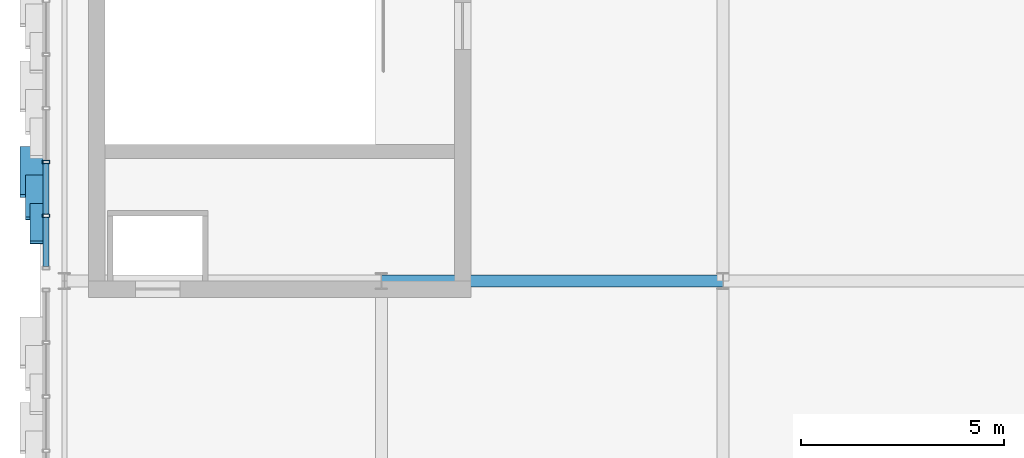
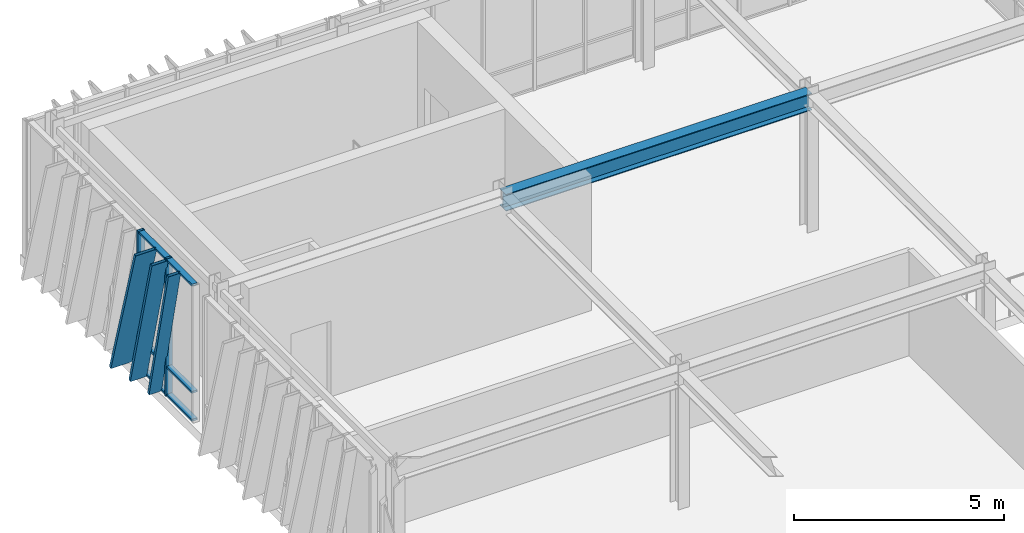
# One storey, part 41 of 123: 11 members, 1 beam, 1 element without a shape of its own.
"""IFC4 building model written with IfcOpenShell, lengths in metres."""

from ifc_helpers import new_model, si_unit, direction, frame, origin, origin_2d, place, context, subcontext, project, spatial, hollow_rectangle, i_section, extrude, material, layer, layer_set, material_profile, profile_set, type_object, element, aggregate, save


model = new_model("IFC4")

# Units and contexts
model_context = context("Model", 3, precision=1e-05, world=origin(), true_north=direction((0.0, 1.0)))
body_context = subcontext(model_context, "Body", "Model", "MODEL_VIEW")
ifc_project = project(units=[si_unit("LENGTHUNIT", "METRE"), si_unit("AREAUNIT", "SQUARE_METRE"), si_unit("VOLUMEUNIT", "CUBIC_METRE"), si_unit("PLANEANGLEUNIT", "RADIAN"), si_unit("MASSUNIT", "GRAM", prefix="KILO")], contexts=[model_context])

# Site, building, storey
site_placement = place(None, origin())
site = spatial("IfcSite", under=ifc_project, at=site_placement, CompositionType="ELEMENT")
building_placement = place(site_placement, origin())
building = spatial("IfcBuilding", under=site, at=building_placement, Name="Zayran Congress Hotel", CompositionType="ELEMENT")
storey_placement = place(building_placement, frame((0.0, 0.0, 15.0)))
storey = spatial("IfcBuildingStorey", under=building, at=storey_placement, Name="L03", CompositionType="ELEMENT", Elevation=15.0)

# Beam
ifc_material_1 = material(Name="Steel S355", Category="steel")
ifc_material_profile_1 = material_profile(ifc_material_1, i_section(OverallWidth=0.300048828125, OverallDepth=0.489990234375, WebThickness=0.011962890625, FlangeThickness=0.02294921875, at=origin_2d()), Name="HEA 500")
ifc_profile_set_1 = profile_set([ifc_material_profile_1], Name="Steel S355")
beam_type = type_object("IfcBeamType", Name="TP-BM-05", PredefinedType="BEAM", material=ifc_profile_set_1)
beam_placement = place(storey_placement, frame((16.800048828125, 109.60009765625, 3.735107421875), z_axis=(1.0, 0.0, 0.0), x_axis=(0.0, 1.0, 0.0)))
element("IfcBeam", 1, at=beam_placement, inside=storey, type_object=beam_type, Name="BM-V1-L03-0830", PredefinedType="BEAM", context=body_context, shape_type="SweptSolid", body=[
    extrude(i_section(OverallWidth=0.300048828125, OverallDepth=0.489990234375, WebThickness=0.011962890625, FlangeThickness=0.02294921875, at=origin_2d()), origin(), (0.0, 0.0, 1.0), 8.39990234375),
])

# Curtain wall, members
ifc_material_2 = material(Name="Anodised aluminium and low-E insulated glass", Category="aluminium")
ifc_layer = layer(ifc_material_2, 0.179931640625)
ifc_layer_set = layer_set([ifc_layer], Name="Anodised aluminium and low-E insulated glass")
curtain_wall_type = type_object("IfcCurtainWallType", Name="CW-V1W-L03-CW-32-7940-3980", PredefinedType="USERDEFINED", material=ifc_layer_set)
curtain_wall_placement = place(storey_placement, origin())
curtain_wall = element("IfcCurtainWall", 2, at=curtain_wall_placement, inside=storey, type_object=curtain_wall_type, Name="CW-V1W-L03-5", ObjectType="CURTAIN WALL", PredefinedType="USERDEFINED")
ifc_material_3 = material(Name="Anodised aluminium framing", Category="aluminium")
ifc_material_profile_2 = material_profile(ifc_material_3, hollow_rectangle(XDim=0.080078125, YDim=0.179931640625, WallThickness=0.0048828125, at=origin_2d()), Name="RHS 180x80x5")
ifc_profile_set_2 = profile_set([ifc_material_profile_2], Name="Anodised aluminium framing")
member_type_1 = type_object("IfcMemberType", Name="TP-CWM-01", PredefinedType="MULLION", material=ifc_profile_set_2)
member_1_placement = place(storey_placement, frame((8.550048828125, 112.526611328125, 0.0), z_axis=(0.0, 0.0, 1.0), x_axis=(0.0, 1.0, 0.0)))
member_1 = element("IfcMember", 3, at=member_1_placement, type_object=member_type_1, Name="CW-V1W-L03-5-M04", PredefinedType="MULLION", context=body_context, shape_type="SweptSolid", body=[
    extrude(hollow_rectangle(XDim=0.080078125, YDim=0.179931640625, WallThickness=0.0048828125, at=origin_2d()), origin(), (0.0, 0.0, 1.0), 3.97998046875),
])
member_2_placement = place(storey_placement, frame((8.550048828125, 111.203369140625, 0.0), z_axis=(0.0, 0.0, 1.0), x_axis=(0.0, 1.0, 0.0)))
member_2 = element("IfcMember", 4, at=member_2_placement, type_object=member_type_1, Name="CW-V1W-L03-5-M05", PredefinedType="MULLION", context=body_context, shape_type="SweptSolid", body=[
    extrude(hollow_rectangle(XDim=0.080078125, YDim=0.179931640625, WallThickness=0.0048828125, at=origin_2d()), origin(), (0.0, 0.0, 1.0), 3.97998046875),
])
ifc_material_profile_3 = material_profile(ifc_material_3, hollow_rectangle(XDim=0.06005859375, YDim=0.14990234375, WallThickness=0.00390625, at=origin_2d()), Name="RHS 150x60x4")
ifc_profile_set_3 = profile_set([ifc_material_profile_3], Name="Anodised aluminium framing")
member_type_2 = type_object("IfcMemberType", Name="TP-CWT-01", PredefinedType="USERDEFINED", material=ifc_profile_set_3)
member_3_placement = place(storey_placement, frame((8.550048828125, 112.48681640625, 0.030029296875), z_axis=(0.0, -1.0, 0.0), x_axis=(0.0, 0.0, 1.0)))
member_3 = element("IfcMember", 5, at=member_3_placement, type_object=member_type_2, Name="CW-V1W-L03-5-T04-0", ObjectType="TRANSOM", PredefinedType="USERDEFINED", context=body_context, shape_type="SweptSolid", body=[
    extrude(hollow_rectangle(XDim=0.06005859375, YDim=0.14990234375, WallThickness=0.00390625, at=origin_2d()), origin(), (0.0, 0.0, 1.0), 1.243408203125),
])
member_4_placement = place(storey_placement, frame((8.550048828125, 112.48681640625, 0.840087890625), z_axis=(0.0, -1.0, 0.0), x_axis=(0.0, 0.0, 1.0)))
member_4 = element("IfcMember", 6, at=member_4_placement, type_object=member_type_2, Name="CW-V1W-L03-5-T04-1", ObjectType="TRANSOM", PredefinedType="USERDEFINED", context=body_context, shape_type="SweptSolid", body=[
    extrude(hollow_rectangle(XDim=0.06005859375, YDim=0.14990234375, WallThickness=0.00390625, at=origin_2d()), origin(), (0.0, 0.0, 1.0), 1.243408203125),
])
member_5_placement = place(storey_placement, frame((8.550048828125, 112.48681640625, 3.949951171875), z_axis=(0.0, -1.0, 0.0), x_axis=(0.0, 0.0, 1.0)))
member_5 = element("IfcMember", 7, at=member_5_placement, type_object=member_type_2, Name="CW-V1W-L03-5-T04-2", ObjectType="TRANSOM", PredefinedType="USERDEFINED", context=body_context, shape_type="SweptSolid", body=[
    extrude(hollow_rectangle(XDim=0.06005859375, YDim=0.14990234375, WallThickness=0.00390625, at=origin_2d()), origin(), (0.0, 0.0, 1.0), 1.243408203125),
])
member_6_placement = place(storey_placement, frame((8.550048828125, 111.163330078125, 0.030029296875), z_axis=(0.0, -1.0, 0.0), x_axis=(0.0, 0.0, 1.0)))
member_6 = element("IfcMember", 8, at=member_6_placement, type_object=member_type_2, Name="CW-V1W-L03-5-T05-0", ObjectType="TRANSOM", PredefinedType="USERDEFINED", context=body_context, shape_type="SweptSolid", body=[
    extrude(hollow_rectangle(XDim=0.06005859375, YDim=0.14990234375, WallThickness=0.00390625, at=origin_2d()), origin(), (0.0, 0.0, 1.0), 1.203369140625),
])
member_7_placement = place(storey_placement, frame((8.550048828125, 111.163330078125, 0.840087890625), z_axis=(0.0, -1.0, 0.0), x_axis=(0.0, 0.0, 1.0)))
member_7 = element("IfcMember", 9, at=member_7_placement, type_object=member_type_2, Name="CW-V1W-L03-5-T05-1", ObjectType="TRANSOM", PredefinedType="USERDEFINED", context=body_context, shape_type="SweptSolid", body=[
    extrude(hollow_rectangle(XDim=0.06005859375, YDim=0.14990234375, WallThickness=0.00390625, at=origin_2d()), origin(), (0.0, 0.0, 1.0), 1.203369140625),
])
member_8_placement = place(storey_placement, frame((8.550048828125, 111.163330078125, 3.949951171875), z_axis=(0.0, -1.0, 0.0), x_axis=(0.0, 0.0, 1.0)))
member_8 = element("IfcMember", 10, at=member_8_placement, type_object=member_type_2, Name="CW-V1W-L03-5-T05-2", ObjectType="TRANSOM", PredefinedType="USERDEFINED", context=body_context, shape_type="SweptSolid", body=[
    extrude(hollow_rectangle(XDim=0.06005859375, YDim=0.14990234375, WallThickness=0.00390625, at=origin_2d()), origin(), (0.0, 0.0, 1.0), 1.203369140625),
])
ifc_material_4 = material(Name="Warm bronze anodised aluminium", Category="aluminium")
ifc_material_profile_4 = material_profile(ifc_material_4, hollow_rectangle(XDim=0.080078125, YDim=0.580078125, WallThickness=0.006103515625, at=origin_2d()), Name="RHS 580x80x6")
ifc_profile_set_4 = profile_set([ifc_material_profile_4], Name="Warm bronze anodised aluminium")
member_type_3 = type_object("IfcMemberType", Name="TP-RFN-01", PredefinedType="MULLION", material=ifc_profile_set_4)
member_9_placement = place(storey_placement, frame((8.199951171875, 112.8701171875, 0.0), z_axis=(0.0, -0.284022244508, 0.958817691026), x_axis=(0.0, 0.958817691026, 0.284022244508)))
member_9 = element("IfcMember", 11, at=member_9_placement, type_object=member_type_3, Name="Slanting Reed Mullion CW-32-07", PredefinedType="MULLION", context=body_context, shape_type="SweptSolid", body=[
    extrude(hollow_rectangle(XDim=0.080078125, YDim=0.580078125, WallThickness=0.006103515625, at=origin_2d()), origin(), (0.0, 0.0, 1.0), 4.15087890625),
])
ifc_material_profile_5 = material_profile(ifc_material_4, hollow_rectangle(XDim=0.080078125, YDim=0.449951171875, WallThickness=0.006103515625, at=origin_2d()), Name="RHS 450x80x6")
ifc_profile_set_5 = profile_set([ifc_material_profile_5], Name="Warm bronze anodised aluminium")
member_type_4 = type_object("IfcMemberType", Name="TP-RFN-02", PredefinedType="MULLION", material=ifc_profile_set_5)
member_10_placement = place(storey_placement, frame((8.264892578125, 112.169921875, 0.0), z_axis=(0.0, -0.250380902481, 0.968147408029), x_axis=(0.0, 0.968147408029, 0.250380902481)))
member_10 = element("IfcMember", 12, at=member_10_placement, type_object=member_type_4, Name="Slanting Reed Mullion CW-32-08", PredefinedType="MULLION", context=body_context, shape_type="SweptSolid", body=[
    extrude(hollow_rectangle(XDim=0.080078125, YDim=0.449951171875, WallThickness=0.006103515625, at=origin_2d()), origin(), (0.0, 0.0, 1.0), 4.11083984375),
])
ifc_material_profile_6 = material_profile(ifc_material_4, hollow_rectangle(XDim=0.080078125, YDim=0.340087890625, WallThickness=0.006103515625, at=origin_2d()), Name="RHS 340x80x6")
ifc_profile_set_6 = profile_set([ifc_material_profile_6], Name="Warm bronze anodised aluminium")
member_type_5 = type_object("IfcMemberType", Name="TP-RFN-03", PredefinedType="MULLION", material=ifc_profile_set_6)
member_11_placement = place(storey_placement, frame((8.320068359375, 111.469970703125, 0.0), z_axis=(0.0, -0.224973000371, 0.974364997885), x_axis=(0.0, 0.974364997885, 0.224973000371)))
member_11 = element("IfcMember", 13, at=member_11_placement, type_object=member_type_5, Name="Slanting Reed Mullion CW-32-09", PredefinedType="MULLION", context=body_context, shape_type="SweptSolid", body=[
    extrude(hollow_rectangle(XDim=0.080078125, YDim=0.340087890625, WallThickness=0.006103515625, at=origin_2d()), origin(), (0.0, 0.0, 1.0), 4.084716796875),
])
aggregate(curtain_wall, [member_1, member_2, member_3, member_4, member_5, member_6, member_7, member_8, member_9, member_10, member_11])

save(model, "model.ifc")
